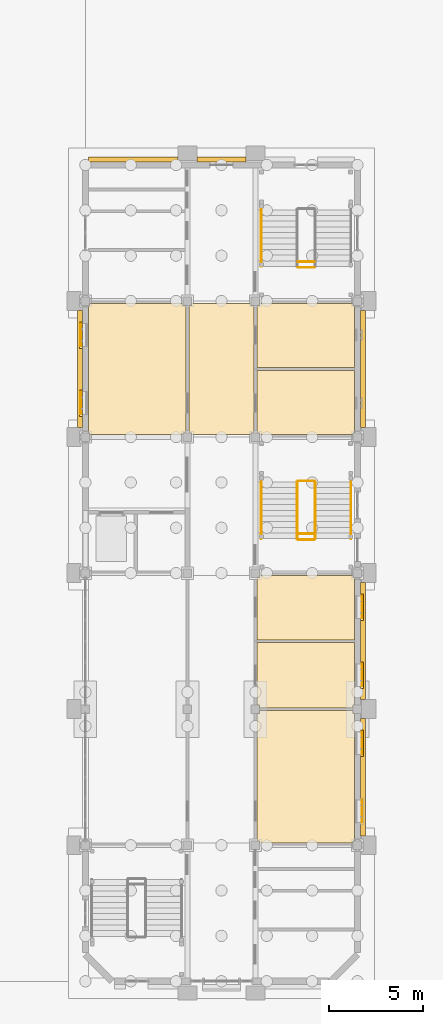
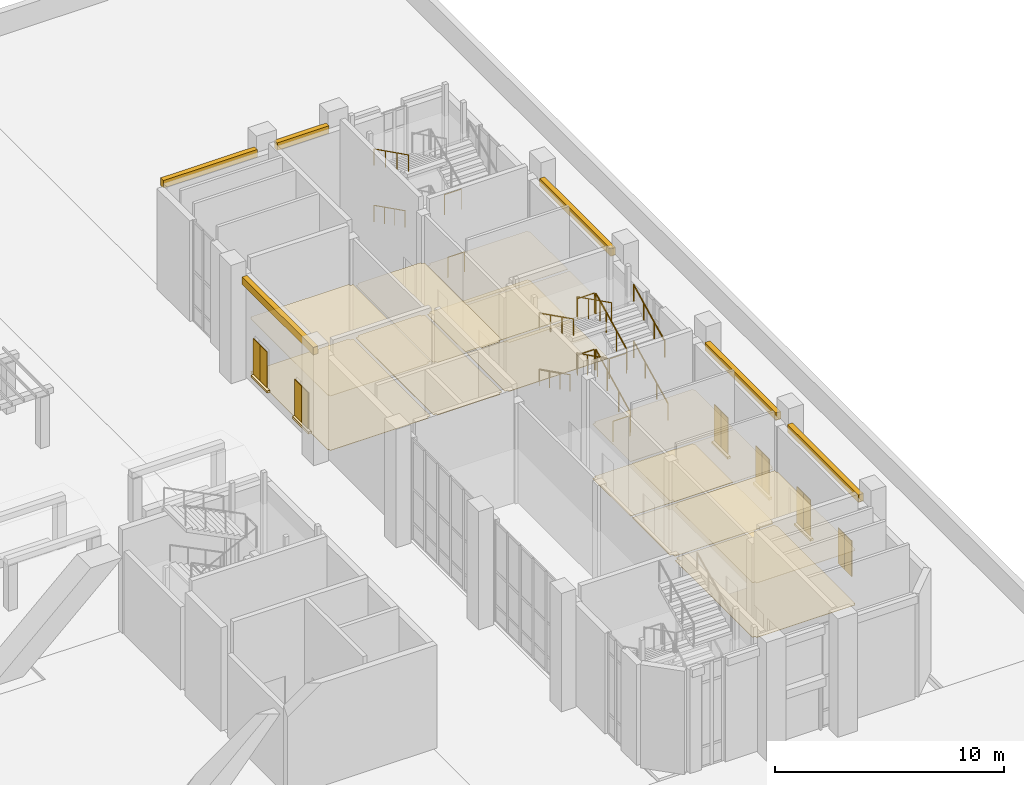
# One storey, part 79 of 84: 37 coverings, 16 railings.
"""IFC4 building model written with IfcOpenShell, lengths in metres."""

from ifc_helpers import new_model, si_unit, direction, frame, origin, origin_2d, place, context, subcontext, project, spatial, polyline, rectangle, circle, outline, extrude, material, layer, layer_set, type_object, element, save


model = new_model("IFC4")

# Units and contexts
model_context = context("Model", 3, precision=1e-05, world=origin(), true_north=direction((0.0, 1.0)))
body_context = subcontext(model_context, "Body", "Model", "MODEL_VIEW")
ifc_project = project(units=[si_unit("LENGTHUNIT", "METRE"), si_unit("AREAUNIT", "SQUARE_METRE"), si_unit("VOLUMEUNIT", "CUBIC_METRE"), si_unit("PLANEANGLEUNIT", "RADIAN"), si_unit("MASSUNIT", "GRAM", prefix="KILO")], contexts=[model_context])

# Site, building, storey
site_placement = place(None, origin())
site = spatial("IfcSite", under=ifc_project, at=site_placement, CompositionType="ELEMENT")
building_placement = place(site_placement, origin())
building = spatial("IfcBuilding", under=site, at=building_placement, Name="Mazhai Court Health Centre", CompositionType="ELEMENT")
storey_placement = place(building_placement, origin())
storey = spatial("IfcBuildingStorey", under=building, at=storey_placement, Name="L00", CompositionType="ELEMENT", Elevation=0.0)

# Coverings
ifc_material_1 = material(Name="Clay brick masonry", Category="masonry")
ifc_layer_1 = layer(ifc_material_1, 0.25)
ifc_layer_set_1 = layer_set([ifc_layer_1], Name="BRICK BAND 250")
covering_type_1 = type_object("IfcCoveringType", Name="BRICK BAND 250", PredefinedType="MOLDING", material=ifc_layer_set_1)
covering_1_placement = place(storey_placement, frame((0.0, 0.0, 5.10009765625)))
element("IfcCovering", 1, at=covering_1_placement, inside=storey, type_object=covering_type_1, Name="EB-V6-L00-A4p0-0", PredefinedType="MOLDING", context=body_context, shape_type="SweptSolid", body=[
    extrude(outline(polyline([(135.635009765625, 35.5), (135.635009765625, 41.699951171875), (135.385009765625, 41.699951171875), (135.385009765625, 35.5), (135.635009765625, 35.5)])), origin(), (0.0, 0.0, 1.0), 0.39990234375),
])
covering_2_placement = place(storey_placement, frame((0.0, 0.0, 5.10009765625)))
element("IfcCovering", 2, at=covering_2_placement, inside=storey, type_object=covering_type_1, Name="EB-V6-L00-B1p0-0", PredefinedType="MOLDING", context=body_context, shape_type="SweptSolid", body=[
    extrude(outline(polyline([(150.364990234375, 20.10009765625), (150.364990234375, 13.89990234375), (150.614990234375, 13.89990234375), (150.614990234375, 20.10009765625), (150.364990234375, 20.10009765625)])), origin(), (0.0, 0.0, 1.0), 0.39990234375),
])
covering_3_placement = place(storey_placement, frame((0.0, 0.0, 5.10009765625)))
element("IfcCovering", 3, at=covering_3_placement, inside=storey, type_object=covering_type_1, Name="EB-V6-L00-B2p0-0", PredefinedType="MOLDING", context=body_context, shape_type="SweptSolid", body=[
    extrude(outline(polyline([(150.364990234375, 27.300048828125), (150.364990234375, 21.10009765625), (150.614990234375, 21.10009765625), (150.614990234375, 27.300048828125), (150.364990234375, 27.300048828125)])), origin(), (0.0, 0.0, 1.0), 0.39990234375),
])
covering_4_placement = place(storey_placement, frame((0.0, 0.0, 5.10009765625)))
element("IfcCovering", 4, at=covering_4_placement, inside=storey, type_object=covering_type_1, Name="EB-V6-L00-B4p0-0", PredefinedType="MOLDING", context=body_context, shape_type="SweptSolid", body=[
    extrude(outline(polyline([(150.364990234375, 41.699951171875), (150.364990234375, 35.5), (150.614990234375, 35.5), (150.614990234375, 41.699951171875), (150.364990234375, 41.699951171875)])), origin(), (0.0, 0.0, 1.0), 0.39990234375),
])
covering_5_placement = place(storey_placement, frame((0.0, 0.0, 5.25)))
element("IfcCovering", 5, at=covering_5_placement, inside=storey, type_object=covering_type_1, Name="EB-V6-L00-Ep0-0", PredefinedType="MOLDING", context=body_context, shape_type="SweptSolid", body=[
    extrude(outline(polyline([(135.965087890625, 49.56494140625), (140.699951171875, 49.56494140625), (140.699951171875, 49.81494140625), (135.965087890625, 49.81494140625), (135.965087890625, 49.56494140625)])), origin(), (0.0, 0.0, 1.0), 0.39990234375),
])
covering_6_placement = place(storey_placement, frame((0.0, 0.0, 5.25)))
element("IfcCovering", 6, at=covering_6_placement, inside=storey, type_object=covering_type_1, Name="EB-V6-L00-Ep0-1", PredefinedType="MOLDING", context=body_context, shape_type="SweptSolid", body=[
    extrude(outline(polyline([(141.699951171875, 49.56494140625), (144.300048828125, 49.56494140625), (144.300048828125, 49.81494140625), (141.699951171875, 49.81494140625), (141.699951171875, 49.56494140625)])), origin(), (0.0, 0.0, 1.0), 0.39990234375),
])
ifc_material_2 = material(Name="Clay brick masonry", Category="masonry")
ifc_layer_2 = layer(ifc_material_2, 0.14990234375)
ifc_layer_set_2 = layer_set([ifc_layer_2], Name="BRICK SILL COURSE 150")
covering_type_2 = type_object("IfcCoveringType", Name="BRICK SILL COURSE 150", PredefinedType="MOLDING", material=ifc_layer_set_2)
covering_7_placement = place(storey_placement, frame((0.0, 0.0, 0.47998046875)))
element("IfcCovering", 7, at=covering_7_placement, inside=storey, type_object=covering_type_2, Name="ES-WN-V6-L00-A40", PredefinedType="MOLDING", context=body_context, shape_type="SweptSolid", body=[
    extrude(outline(polyline([(135.635009765625, 36.10009765625), (135.635009765625, 37.5), (135.485107421875, 37.5), (135.485107421875, 36.10009765625), (135.635009765625, 36.10009765625)])), origin(), (0.0, 0.0, 1.0), 0.1201171875),
])
covering_8_placement = place(storey_placement, frame((0.0, 0.0, 0.47998046875)))
element("IfcCovering", 8, at=covering_8_placement, inside=storey, type_object=covering_type_2, Name="ES-WN-V6-L00-A41", PredefinedType="MOLDING", context=body_context, shape_type="SweptSolid", body=[
    extrude(outline(polyline([(135.635009765625, 39.699951171875), (135.635009765625, 41.10009765625), (135.485107421875, 41.10009765625), (135.485107421875, 39.699951171875), (135.635009765625, 39.699951171875)])), origin(), (0.0, 0.0, 1.0), 0.1201171875),
])
covering_9_placement = place(storey_placement, frame((0.0, 0.0, 0.47998046875)))
element("IfcCovering", 9, at=covering_9_placement, inside=storey, type_object=covering_type_2, Name="ES-WN-V6-L00-B11", PredefinedType="MOLDING", context=body_context, shape_type="SweptSolid", body=[
    extrude(outline(polyline([(150.364990234375, 19.5), (150.364990234375, 18.10009765625), (150.514892578125, 18.10009765625), (150.514892578125, 19.5), (150.364990234375, 19.5)])), origin(), (0.0, 0.0, 1.0), 0.1201171875),
])
covering_10_placement = place(storey_placement, frame((0.0, 0.0, 0.47998046875)))
element("IfcCovering", 10, at=covering_10_placement, inside=storey, type_object=covering_type_2, Name="ES-WN-V6-L00-B20", PredefinedType="MOLDING", context=body_context, shape_type="SweptSolid", body=[
    extrude(outline(polyline([(150.364990234375, 23.10009765625), (150.364990234375, 21.699951171875), (150.514892578125, 21.699951171875), (150.514892578125, 23.10009765625), (150.364990234375, 23.10009765625)])), origin(), (0.0, 0.0, 1.0), 0.1201171875),
])
covering_11_placement = place(storey_placement, frame((0.0, 0.0, 0.47998046875)))
element("IfcCovering", 11, at=covering_11_placement, inside=storey, type_object=covering_type_2, Name="ES-WN-V6-L00-B21", PredefinedType="MOLDING", context=body_context, shape_type="SweptSolid", body=[
    extrude(outline(polyline([(150.364990234375, 26.699951171875), (150.364990234375, 25.300048828125), (150.514892578125, 25.300048828125), (150.514892578125, 26.699951171875), (150.364990234375, 26.699951171875)])), origin(), (0.0, 0.0, 1.0), 0.1201171875),
])
ifc_material_3 = material(Name="Gypsum plasterboard ceiling")
ifc_layer_3 = layer(ifc_material_3, 0.02001953125)
ifc_layer_set_3 = layer_set([ifc_layer_3], Name="CEILING GYPSUM BOARD 20")
covering_type_3 = type_object("IfcCoveringType", Name="CEILING GYPSUM BOARD 20", PredefinedType="CEILING", material=ifc_layer_set_3)
covering_12_placement = place(storey_placement, frame((0.0, 0.0, 2.89990234375)))
element("IfcCovering", 12, at=covering_12_placement, inside=storey, type_object=covering_type_3, Name="ceil-V6-L00-A1-yoga-and-exercise-room", PredefinedType="CEILING", context=body_context, shape_type="SweptSolid", body=[
    extrude(outline(polyline([(141.125, 41.97509765625), (140.97509765625, 41.97509765625), (140.97509765625, 42.074951171875), (136.02490234375, 42.074951171875), (136.02490234375, 41.97509765625), (135.965087890625, 41.97509765625), (135.965087890625, 35.22509765625), (136.02490234375, 35.22509765625), (136.02490234375, 35.125), (140.97509765625, 35.125), (140.97509765625, 35.22509765625), (141.125, 35.22509765625), (141.125, 41.97509765625)])), origin(), (0.0, 0.0, 1.0), 0.02001953125),
])
covering_13_placement = place(storey_placement, frame((0.0, 0.0, 2.89990234375)))
element("IfcCovering", 13, at=covering_13_placement, inside=storey, type_object=covering_type_3, Name="ceil-V6-L00-B0-cafe", PredefinedType="CEILING", context=body_context, shape_type="SweptSolid", body=[
    extrude(outline(polyline([(150.034912109375, 20.375), (149.97509765625, 20.375), (149.97509765625, 20.53759765625), (145.02490234375, 20.53759765625), (145.02490234375, 20.375), (144.875, 20.375), (144.875, 13.625), (145.02490234375, 13.625), (145.02490234375, 13.52490234375), (149.97509765625, 13.52490234375), (149.97509765625, 13.625), (150.034912109375, 13.625), (150.034912109375, 20.375)])), origin(), (0.0, 0.0, 1.0), 0.02001953125),
])
covering_14_placement = place(storey_placement, frame((0.0, 0.0, 2.89990234375)))
element("IfcCovering", 14, at=covering_14_placement, inside=storey, type_object=covering_type_3, Name="ceil-V6-L00-B0-health-shop", PredefinedType="CEILING", context=body_context, shape_type="SweptSolid", body=[
    extrude(outline(polyline([(150.034912109375, 27.574951171875), (149.97509765625, 27.574951171875), (149.97509765625, 27.675048828125), (145.02490234375, 27.675048828125), (145.02490234375, 27.574951171875), (144.875, 27.574951171875), (144.875, 24.262451171875), (150.034912109375, 24.262451171875), (150.034912109375, 27.574951171875)])), origin(), (0.0, 0.0, 1.0), 0.02001953125),
])
ifc_material_4 = material(Name="Mineral fibre ceiling tile")
ifc_layer_4 = layer(ifc_material_4, 0.014892578125)
ifc_layer_set_4 = layer_set([ifc_layer_4], Name="CEILING MINERAL FIBRE TILE 15")
covering_type_4 = type_object("IfcCoveringType", Name="CEILING MINERAL FIBRE TILE 15", PredefinedType="CEILING", material=ifc_layer_set_4)
covering_15_placement = place(storey_placement, frame((0.0, 0.0, 2.800048828125)))
element("IfcCovering", 15, at=covering_15_placement, inside=storey, type_object=covering_type_4, Name="ceil-V6-L00-corridor-1", PredefinedType="CEILING", context=body_context, shape_type="SweptSolid", body=[
    extrude(outline(polyline([(144.574951171875, 35.125), (144.574951171875, 35.22509765625), (144.72509765625, 35.22509765625), (144.72509765625, 41.97509765625), (144.574951171875, 41.97509765625), (144.574951171875, 42.074951171875), (141.425048828125, 42.074951171875), (141.425048828125, 41.97509765625), (141.27490234375, 41.97509765625), (141.27490234375, 35.22509765625), (141.425048828125, 35.22509765625), (141.425048828125, 35.125), (144.574951171875, 35.125)])), origin(), (0.0, 0.0, 1.0), 0.014892578125),
])
ifc_material_5 = material(Name="Moisture resistant gypsum ceiling")
ifc_layer_5 = layer(ifc_material_5, 0.014892578125)
ifc_layer_set_5 = layer_set([ifc_layer_5], Name="CEILING MOISTURE RESISTANT BOARD 15")
covering_type_5 = type_object("IfcCoveringType", Name="CEILING MOISTURE RESISTANT BOARD 15", PredefinedType="CEILING", material=ifc_layer_set_5)
covering_16_placement = place(storey_placement, frame((0.0, 0.0, 2.89990234375)))
element("IfcCovering", 16, at=covering_16_placement, inside=storey, type_object=covering_type_5, Name="ceil-V6-L00-B0-cafe-kitchen", PredefinedType="CEILING", context=body_context, shape_type="SweptSolid", body=[
    extrude(outline(polyline([(144.875, 20.824951171875), (145.02490234375, 20.824951171875), (145.02490234375, 20.66259765625), (149.97509765625, 20.66259765625), (149.97509765625, 20.824951171875), (150.034912109375, 20.824951171875), (150.034912109375, 24.137451171875), (144.875, 24.137451171875), (144.875, 20.824951171875)])), origin(), (0.0, 0.0, 1.0), 0.01513671875),
])
covering_17_placement = place(storey_placement, frame((0.0, 0.0, 2.60009765625)))
element("IfcCovering", 17, at=covering_17_placement, inside=storey, type_object=covering_type_5, Name="ceil-V6-L00-B1-public-wc-male", PredefinedType="CEILING", context=body_context, shape_type="SweptSolid", body=[
    extrude(outline(polyline([(144.875, 35.22509765625), (145.02490234375, 35.22509765625), (145.02490234375, 35.125), (149.97509765625, 35.125), (149.97509765625, 35.22509765625), (150.034912109375, 35.22509765625), (150.034912109375, 38.52490234375), (144.875, 38.52490234375), (144.875, 35.22509765625)])), origin(), (0.0, 0.0, 1.0), 0.014892578125),
])
covering_18_placement = place(storey_placement, frame((0.0, 0.0, 2.60009765625)))
element("IfcCovering", 18, at=covering_18_placement, inside=storey, type_object=covering_type_5, Name="ceil-V6-L00-B1-public-wc-female", PredefinedType="CEILING", context=body_context, shape_type="SweptSolid", body=[
    extrude(outline(polyline([(150.034912109375, 41.97509765625), (149.97509765625, 41.97509765625), (149.97509765625, 42.074951171875), (145.02490234375, 42.074951171875), (145.02490234375, 41.97509765625), (144.875, 41.97509765625), (144.875, 38.675048828125), (150.034912109375, 38.675048828125), (150.034912109375, 41.97509765625)])), origin(), (0.0, 0.0, 1.0), 0.014892578125),
])
ifc_material_6 = material(Name="Linoleum flooring")
ifc_layer_6 = layer(ifc_material_6, 0.02001953125)
ifc_layer_set_6 = layer_set([ifc_layer_6], Name="FLOOR FINISH LINOLEUM FLOORING 20")
covering_type_6 = type_object("IfcCoveringType", Name="FLOOR FINISH LINOLEUM FLOORING 20", PredefinedType="FLOORING", material=ifc_layer_set_6)
covering_19_placement = place(storey_placement, origin())
element("IfcCovering", 19, at=covering_19_placement, inside=storey, type_object=covering_type_6, Name="floor-V6-L00-A1-yoga-and-exercise-room", PredefinedType="FLOORING", context=body_context, shape_type="SweptSolid", body=[
    extrude(outline(polyline([(141.125, 41.97509765625), (140.97509765625, 41.97509765625), (140.97509765625, 42.074951171875), (136.02490234375, 42.074951171875), (136.02490234375, 41.97509765625), (135.965087890625, 41.97509765625), (135.965087890625, 35.22509765625), (136.02490234375, 35.22509765625), (136.02490234375, 35.125), (140.97509765625, 35.125), (140.97509765625, 35.22509765625), (141.125, 35.22509765625), (141.125, 41.97509765625)])), origin(), (0.0, 0.0, 1.0), 0.02001953125),
])
covering_20_placement = place(storey_placement, origin())
element("IfcCovering", 20, at=covering_20_placement, inside=storey, type_object=covering_type_6, Name="floor-V6-L00-B0-cafe", PredefinedType="FLOORING", context=body_context, shape_type="SweptSolid", body=[
    extrude(outline(polyline([(150.034912109375, 20.375), (149.97509765625, 20.375), (149.97509765625, 20.53759765625), (145.02490234375, 20.53759765625), (145.02490234375, 20.375), (144.875, 20.375), (144.875, 13.625), (145.02490234375, 13.625), (145.02490234375, 13.52490234375), (149.97509765625, 13.52490234375), (149.97509765625, 13.625), (150.034912109375, 13.625), (150.034912109375, 20.375)])), origin(), (0.0, 0.0, 1.0), 0.02001953125),
])
covering_21_placement = place(storey_placement, origin())
element("IfcCovering", 21, at=covering_21_placement, inside=storey, type_object=covering_type_6, Name="floor-V6-L00-B0-cafe-kitchen", PredefinedType="FLOORING", context=body_context, shape_type="SweptSolid", body=[
    extrude(outline(polyline([(144.875, 20.824951171875), (145.02490234375, 20.824951171875), (145.02490234375, 20.66259765625), (149.97509765625, 20.66259765625), (149.97509765625, 20.824951171875), (150.034912109375, 20.824951171875), (150.034912109375, 24.137451171875), (144.875, 24.137451171875), (144.875, 20.824951171875)])), origin(), (0.0, 0.0, 1.0), 0.02001953125),
])
covering_22_placement = place(storey_placement, origin())
element("IfcCovering", 22, at=covering_22_placement, inside=storey, type_object=covering_type_6, Name="floor-V6-L00-B0-health-shop", PredefinedType="FLOORING", context=body_context, shape_type="SweptSolid", body=[
    extrude(outline(polyline([(150.034912109375, 27.574951171875), (149.97509765625, 27.574951171875), (149.97509765625, 27.675048828125), (145.02490234375, 27.675048828125), (145.02490234375, 27.574951171875), (144.875, 27.574951171875), (144.875, 24.262451171875), (150.034912109375, 24.262451171875), (150.034912109375, 27.574951171875)])), origin(), (0.0, 0.0, 1.0), 0.02001953125),
])
ifc_material_7 = material(Name="Porcelain tile flooring")
ifc_layer_7 = layer(ifc_material_7, 0.02490234375)
ifc_layer_set_7 = layer_set([ifc_layer_7], Name="FLOOR FINISH PORCELAIN TILE FLOORING 25")
covering_type_7 = type_object("IfcCoveringType", Name="FLOOR FINISH PORCELAIN TILE FLOORING 25", PredefinedType="FLOORING", material=ifc_layer_set_7)
covering_23_placement = place(storey_placement, origin())
element("IfcCovering", 23, at=covering_23_placement, inside=storey, type_object=covering_type_7, Name="floor-V6-L00-B1-public-wc-male", PredefinedType="FLOORING", context=body_context, shape_type="SweptSolid", body=[
    extrude(outline(polyline([(144.875, 35.22509765625), (145.02490234375, 35.22509765625), (145.02490234375, 35.125), (149.97509765625, 35.125), (149.97509765625, 35.22509765625), (150.034912109375, 35.22509765625), (150.034912109375, 38.52490234375), (144.875, 38.52490234375), (144.875, 35.22509765625)])), origin(), (0.0, 0.0, 1.0), 0.02490234375),
])
covering_24_placement = place(storey_placement, origin())
element("IfcCovering", 24, at=covering_24_placement, inside=storey, type_object=covering_type_7, Name="floor-V6-L00-B1-public-wc-female", PredefinedType="FLOORING", context=body_context, shape_type="SweptSolid", body=[
    extrude(outline(polyline([(150.034912109375, 41.97509765625), (149.97509765625, 41.97509765625), (149.97509765625, 42.074951171875), (145.02490234375, 42.074951171875), (145.02490234375, 41.97509765625), (144.875, 41.97509765625), (144.875, 38.675048828125), (150.034912109375, 38.675048828125), (150.034912109375, 41.97509765625)])), origin(), (0.0, 0.0, 1.0), 0.02490234375),
])
ifc_material_8 = material(Name="Terrazzo flooring")
ifc_layer_8 = layer(ifc_material_8, 0.0400390625)
ifc_layer_set_8 = layer_set([ifc_layer_8], Name="FLOOR FINISH TERRAZZO FLOORING 40")
covering_type_8 = type_object("IfcCoveringType", Name="FLOOR FINISH TERRAZZO FLOORING 40", PredefinedType="FLOORING", material=ifc_layer_set_8)
covering_25_placement = place(storey_placement, origin())
element("IfcCovering", 25, at=covering_25_placement, inside=storey, type_object=covering_type_8, Name="floor-V6-L00-corridor-1", PredefinedType="FLOORING", context=body_context, shape_type="SweptSolid", body=[
    extrude(outline(polyline([(144.574951171875, 35.125), (144.574951171875, 35.22509765625), (144.72509765625, 35.22509765625), (144.72509765625, 41.97509765625), (144.574951171875, 41.97509765625), (144.574951171875, 42.074951171875), (141.425048828125, 42.074951171875), (141.425048828125, 41.97509765625), (141.27490234375, 41.97509765625), (141.27490234375, 35.22509765625), (141.425048828125, 35.22509765625), (141.425048828125, 35.125), (144.574951171875, 35.125)])), origin(), (0.0, 0.0, 1.0), 0.0400390625),
])
ifc_material_9 = material(Name="Aluminium louvre", Category="aluminium")
ifc_layer_9 = layer(ifc_material_9, 0.0400390625)
ifc_layer_set_9 = layer_set([ifc_layer_9], Name="SHUTTER LEAF 600x40")
covering_type_9 = type_object("IfcCoveringType", Name="SHUTTER LEAF 600x40", PredefinedType="CLADDING", material=ifc_layer_set_9)
for number, where, z_axis, x_axis, name in (
    (26, (135.554931640625, 36.5, 0.699951171875), (0.0, 0.0, 1.0), (0.0, 1.0, 0.0), "LV-V6-L00-A40a"),
    (27, (135.554931640625, 37.10009765625, 0.699951171875), (0.0, 0.0, 1.0), (0.0, 1.0, 0.0), "LV-V6-L00-A40b"),
    (28, (135.554931640625, 40.10009765625, 0.699951171875), (0.0, 0.0, 1.0), (0.0, 1.0, 0.0), "LV-V6-L00-A41a"),
    (29, (135.554931640625, 40.699951171875, 0.699951171875), (0.0, 0.0, 1.0), (0.0, 1.0, 0.0), "LV-V6-L00-A41b"),
    (30, (150.445068359375, 14.89990234375, 0.699951171875), (0.0, 0.0, 1.0), (0.0, 1.0, 0.0), "LV-V6-L00-B10a"),
    (31, (150.445068359375, 15.5, 0.699951171875), (0.0, 0.0, 1.0), (0.0, 1.0, 0.0), "LV-V6-L00-B10b"),
    (32, (150.445068359375, 18.5, 0.699951171875), (0.0, 0.0, 1.0), (0.0, 1.0, 0.0), "LV-V6-L00-B11a"),
    (33, (150.445068359375, 19.10009765625, 0.699951171875), (0.0, 0.0, 1.0), (0.0, 1.0, 0.0), "LV-V6-L00-B11b"),
    (34, (150.445068359375, 22.10009765625, 0.699951171875), (0.0, 0.0, 1.0), (0.0, 1.0, 0.0), "LV-V6-L00-B20a"),
    (35, (150.445068359375, 22.699951171875, 0.699951171875), (0.0, 0.0, 1.0), (0.0, 1.0, 0.0), "LV-V6-L00-B20b"),
    (36, (150.445068359375, 25.699951171875, 0.699951171875), (0.0, 0.0, 1.0), (0.0, 1.0, 0.0), "LV-V6-L00-B21a"),
    (37, (150.445068359375, 26.300048828125, 0.699951171875), (0.0, 0.0, 1.0), (0.0, 1.0, 0.0), "LV-V6-L00-B21b"),
):
    element("IfcCovering", number, at=place(storey_placement, frame(where, z_axis=z_axis, x_axis=x_axis)), inside=storey, type_object=covering_type_9, Name=name, PredefinedType="CLADDING", context=body_context, shape_type="SweptSolid", body=[
        extrude(rectangle(XDim=0.60009765625, YDim=0.0400390625, at=origin_2d()), origin(), (0.0, 0.0, 1.0), 1.89990234375),
    ])

# Railings
ifc_material_10 = material(Name="Steel IS 2062 E250", Category="steel")
railing_type_1 = type_object("IfcRailingType", Name="STAIR GUARD 1100", PredefinedType="GUARDRAIL", material=ifc_material_10)
railing_1_placement = place(storey_placement, frame((147.955078125, 29.625, 0.14990234375)))
element("IfcRailing", 38, at=railing_1_placement, inside=storey, type_object=railing_type_1, Name="L00 ST9 stair guard 1", PredefinedType="GUARDRAIL", context=body_context, shape_type="SweptSolid", body=[
    extrude(circle(Radius=0.02392578125, at=origin_2d()), frame((0.0, 0.0, 1.076171875), z_axis=(0.0, 0.894427191, 0.4472135955), x_axis=(-1.0, 0.0, 0.0)), (0.0, 0.0, 1.0), 3.35400390625),
    extrude(circle(Radius=0.02099609375, at=origin_2d()), origin(), (0.0, 0.0, 1.0), 1.052001953125),
    extrude(circle(Radius=0.02099609375, at=origin_2d()), frame((0.0, 1.0, 0.5)), (0.0, 0.0, 1.0), 1.052001953125),
    extrude(circle(Radius=0.02099609375, at=origin_2d()), frame((0.0, 2.0, 1.0)), (0.0, 0.0, 1.0), 1.052001953125),
    extrude(circle(Radius=0.02099609375, at=origin_2d()), frame((0.0, 3.0, 1.5)), (0.0, 0.0, 1.0), 1.052001953125),
])
railing_2_placement = place(storey_placement, frame((147.905029296875, 32.675048828125, 1.64990234375)))
element("IfcRailing", 39, at=railing_2_placement, inside=storey, type_object=railing_type_1, Name="L00 ST9 stair guard 2", PredefinedType="GUARDRAIL", context=body_context, shape_type="SweptSolid", body=[
    extrude(circle(Radius=0.02392578125, at=origin_2d()), frame((0.0, 0.0, 1.076171875), z_axis=(-1.0, 0.0, 0.0), x_axis=(0.0, -1.0, 0.0)), (0.0, 0.0, 1.0), 0.85009765625),
    extrude(circle(Radius=0.02099609375, at=origin_2d()), origin(), (0.0, 0.0, 1.0), 1.052001953125),
    extrude(circle(Radius=0.02099609375, at=origin_2d()), frame((-0.85009765625, 0.0, 0.0)), (0.0, 0.0, 1.0), 1.052001953125),
])
railing_3_placement = place(storey_placement, frame((147.0048828125, 32.625, 1.800048828125)))
element("IfcRailing", 40, at=railing_3_placement, inside=storey, type_object=railing_type_1, Name="L00 ST9 stair guard 3", PredefinedType="GUARDRAIL", context=body_context, shape_type="SweptSolid", body=[
    extrude(circle(Radius=0.02392578125, at=origin_2d()), frame((0.0, 0.0, 1.076171875), z_axis=(0.0, -0.89444336626, 0.447181243517), x_axis=(1.0, 0.0, 0.0)), (0.0, 0.0, 1.0), 3.0185546875),
    extrude(circle(Radius=0.02099609375, at=origin_2d()), origin(), (0.0, 0.0, 1.0), 1.052001953125),
    extrude(circle(Radius=0.02099609375, at=origin_2d()), frame((0.0, -0.89990234375, 0.449951171875)), (0.0, 0.0, 1.0), 1.052001953125),
    extrude(circle(Radius=0.02099609375, at=origin_2d()), frame((0.0, -1.800048828125, 0.89990234375)), (0.0, 0.0, 1.0), 1.052001953125),
    extrude(circle(Radius=0.02099609375, at=origin_2d()), frame((0.0, -2.699951171875, 1.349853515625)), (0.0, 0.0, 1.0), 1.052001953125),
])
railing_4_placement = place(storey_placement, frame((147.905029296875, 29.875, 3.14990234375)))
element("IfcRailing", 41, at=railing_4_placement, inside=storey, type_object=railing_type_1, Name="L00 ST9 stair guard 4", PredefinedType="GUARDRAIL", context=body_context, shape_type="SweptSolid", body=[
    extrude(circle(Radius=0.02392578125, at=origin_2d()), frame((0.0, 0.0, 1.076171875), z_axis=(-1.0, 0.0, 0.0), x_axis=(0.0, -1.0, 0.0)), (0.0, 0.0, 1.0), 0.85009765625),
    extrude(circle(Radius=0.02099609375, at=origin_2d()), origin(), (0.0, 0.0, 1.0), 1.052001953125),
    extrude(circle(Radius=0.02099609375, at=origin_2d()), frame((-0.85009765625, 0.0, 0.0)), (0.0, 0.0, 1.0), 1.052001953125),
])
railing_5_placement = place(storey_placement, frame((147.955078125, 29.925048828125, 3.300048828125)))
element("IfcRailing", 42, at=railing_5_placement, inside=storey, type_object=railing_type_1, Name="L00 ST9 stair guard 5", PredefinedType="GUARDRAIL", context=body_context, shape_type="SweptSolid", body=[
    extrude(circle(Radius=0.02392578125, at=origin_2d()), frame((0.0, 0.0, 1.076171875), z_axis=(0.0, 0.89444336626, 0.447181243517), x_axis=(-1.0, 0.0, 0.0)), (0.0, 0.0, 1.0), 3.0185546875),
    extrude(circle(Radius=0.02099609375, at=origin_2d()), origin(), (0.0, 0.0, 1.0), 1.052001953125),
    extrude(circle(Radius=0.02099609375, at=origin_2d()), frame((0.0, 0.89990234375, 0.449951171875)), (0.0, 0.0, 1.0), 1.052001953125),
    extrude(circle(Radius=0.02099609375, at=origin_2d()), frame((0.0, 1.800048828125, 0.89990234375)), (0.0, 0.0, 1.0), 1.052001953125),
    extrude(circle(Radius=0.02099609375, at=origin_2d()), frame((0.0, 2.699951171875, 1.349853515625)), (0.0, 0.0, 1.0), 1.052001953125),
])
railing_6_placement = place(storey_placement, frame((147.905029296875, 32.675048828125, 4.64990234375)))
element("IfcRailing", 43, at=railing_6_placement, inside=storey, type_object=railing_type_1, Name="L00 ST9 stair guard 6", PredefinedType="GUARDRAIL", context=body_context, shape_type="SweptSolid", body=[
    extrude(circle(Radius=0.02392578125, at=origin_2d()), frame((0.0, 0.0, 1.076171875), z_axis=(-1.0, 0.0, 0.0), x_axis=(0.0, -1.0, 0.0)), (0.0, 0.0, 1.0), 0.85009765625),
    extrude(circle(Radius=0.02099609375, at=origin_2d()), origin(), (0.0, 0.0, 1.0), 1.052001953125),
    extrude(circle(Radius=0.02099609375, at=origin_2d()), frame((-0.85009765625, 0.0, 0.0)), (0.0, 0.0, 1.0), 1.052001953125),
])
railing_7_placement = place(storey_placement, frame((147.0048828125, 32.625, 4.800048828125)))
element("IfcRailing", 44, at=railing_7_placement, inside=storey, type_object=railing_type_1, Name="L00 ST9 stair guard 7", PredefinedType="GUARDRAIL", context=body_context, shape_type="SweptSolid", body=[
    extrude(circle(Radius=0.02392578125, at=origin_2d()), frame((0.0, 0.0, 1.076171875), z_axis=(0.0, -0.894427191, 0.4472135955), x_axis=(1.0, 0.0, 0.0)), (0.0, 0.0, 1.0), 3.35400390625),
    extrude(circle(Radius=0.02099609375, at=origin_2d()), origin(), (0.0, 0.0, 1.0), 1.052001953125),
    extrude(circle(Radius=0.02099609375, at=origin_2d()), frame((0.0, -1.0, 0.5)), (0.0, 0.0, 1.0), 1.052001953125),
    extrude(circle(Radius=0.02099609375, at=origin_2d()), frame((0.0, -2.0, 1.0)), (0.0, 0.0, 1.0), 1.052001953125),
    extrude(circle(Radius=0.02099609375, at=origin_2d()), frame((0.0, -3.0, 1.5)), (0.0, 0.0, 1.0), 1.052001953125),
])
for number, where, name in (
    (45, (147.905029296875, 29.574951171875, 0.0), "L00 ST9 stair guard 8"),
    (46, (147.905029296875, 44.27490234375, 3.14990234375), "L00 ST10 stair guard 4"),
    (47, (147.905029296875, 43.97509765625, 0.0), "L00 ST10 stair guard 8"),
):
    element("IfcRailing", number, at=place(storey_placement, frame(where)), inside=storey, type_object=railing_type_1, Name=name, PredefinedType="GUARDRAIL", context=body_context, shape_type="SweptSolid", body=[
        extrude(circle(Radius=0.02392578125, at=origin_2d()), frame((0.0, 0.0, 1.076171875), z_axis=(-1.0, 0.0, 0.0), x_axis=(0.0, -1.0, 0.0)), (0.0, 0.0, 1.0), 0.85009765625),
        extrude(circle(Radius=0.02099609375, at=origin_2d()), origin(), (0.0, 0.0, 1.0), 1.052001953125),
        extrude(circle(Radius=0.02099609375, at=origin_2d()), frame((-0.85009765625, 0.0, 0.0)), (0.0, 0.0, 1.0), 1.052001953125),
    ])
ifc_material_11 = material(Name="Steel IS 2062 E250", Category="steel")
railing_type_2 = type_object("IfcRailingType", Name="STAIR HANDRAIL 900", PredefinedType="HANDRAIL", material=ifc_material_11)
railing_8_placement = place(storey_placement, frame((149.85498046875, 29.625, 0.14990234375)))
element("IfcRailing", 48, at=railing_8_placement, inside=storey, type_object=railing_type_2, Name="L00 ST9 stair handrail 1", PredefinedType="HANDRAIL", context=body_context, shape_type="SweptSolid", body=[
    extrude(circle(Radius=0.02392578125, at=origin_2d()), frame((0.0, 0.0, 0.8759765625), z_axis=(0.0, 0.894427191, 0.4472135955), x_axis=(-1.0, 0.0, 0.0)), (0.0, 0.0, 1.0), 3.35400390625),
    extrude(circle(Radius=0.02099609375, at=origin_2d()), origin(), (0.0, 0.0, 1.0), 0.851806640625),
    extrude(circle(Radius=0.02099609375, at=origin_2d()), frame((0.0, 1.0, 0.5)), (0.0, 0.0, 1.0), 0.851806640625),
    extrude(circle(Radius=0.02099609375, at=origin_2d()), frame((0.0, 2.0, 1.0)), (0.0, 0.0, 1.0), 0.851806640625),
    extrude(circle(Radius=0.02099609375, at=origin_2d()), frame((0.0, 3.0, 1.5)), (0.0, 0.0, 1.0), 0.851806640625),
])
railing_9_placement = place(storey_placement, frame((145.10498046875, 32.625, 1.800048828125)))
element("IfcRailing", 49, at=railing_9_placement, inside=storey, type_object=railing_type_2, Name="L00 ST9 stair handrail 2", PredefinedType="HANDRAIL", context=body_context, shape_type="SweptSolid", body=[
    extrude(circle(Radius=0.02392578125, at=origin_2d()), frame((0.0, 0.0, 0.8759765625), z_axis=(0.0, -0.89444336626, 0.447181243517), x_axis=(1.0, 0.0, 0.0)), (0.0, 0.0, 1.0), 3.0185546875),
    extrude(circle(Radius=0.02099609375, at=origin_2d()), origin(), (0.0, 0.0, 1.0), 0.851806640625),
    extrude(circle(Radius=0.02099609375, at=origin_2d()), frame((0.0, -0.89990234375, 0.449951171875)), (0.0, 0.0, 1.0), 0.851806640625),
    extrude(circle(Radius=0.02099609375, at=origin_2d()), frame((0.0, -1.800048828125, 0.89990234375)), (0.0, 0.0, 1.0), 0.851806640625),
    extrude(circle(Radius=0.02099609375, at=origin_2d()), frame((0.0, -2.699951171875, 1.349853515625)), (0.0, 0.0, 1.0), 0.851806640625),
])
railing_10_placement = place(storey_placement, frame((149.85498046875, 29.925048828125, 3.300048828125)))
element("IfcRailing", 50, at=railing_10_placement, inside=storey, type_object=railing_type_2, Name="L00 ST9 stair handrail 3", PredefinedType="HANDRAIL", context=body_context, shape_type="SweptSolid", body=[
    extrude(circle(Radius=0.02392578125, at=origin_2d()), frame((0.0, 0.0, 0.8759765625), z_axis=(0.0, 0.89444336626, 0.447181243517), x_axis=(-1.0, 0.0, 0.0)), (0.0, 0.0, 1.0), 3.0185546875),
    extrude(circle(Radius=0.02099609375, at=origin_2d()), origin(), (0.0, 0.0, 1.0), 0.851806640625),
    extrude(circle(Radius=0.02099609375, at=origin_2d()), frame((0.0, 0.89990234375, 0.449951171875)), (0.0, 0.0, 1.0), 0.851806640625),
    extrude(circle(Radius=0.02099609375, at=origin_2d()), frame((0.0, 1.800048828125, 0.89990234375)), (0.0, 0.0, 1.0), 0.851806640625),
    extrude(circle(Radius=0.02099609375, at=origin_2d()), frame((0.0, 2.699951171875, 1.349853515625)), (0.0, 0.0, 1.0), 0.851806640625),
])
railing_11_placement = place(storey_placement, frame((145.10498046875, 32.625, 4.800048828125)))
element("IfcRailing", 51, at=railing_11_placement, inside=storey, type_object=railing_type_2, Name="L00 ST9 stair handrail 4", PredefinedType="HANDRAIL", context=body_context, shape_type="SweptSolid", body=[
    extrude(circle(Radius=0.02392578125, at=origin_2d()), frame((0.0, 0.0, 0.8759765625), z_axis=(0.0, -0.894427191, 0.4472135955), x_axis=(1.0, 0.0, 0.0)), (0.0, 0.0, 1.0), 3.35400390625),
    extrude(circle(Radius=0.02099609375, at=origin_2d()), origin(), (0.0, 0.0, 1.0), 0.851806640625),
    extrude(circle(Radius=0.02099609375, at=origin_2d()), frame((0.0, -1.0, 0.5)), (0.0, 0.0, 1.0), 0.851806640625),
    extrude(circle(Radius=0.02099609375, at=origin_2d()), frame((0.0, -2.0, 1.0)), (0.0, 0.0, 1.0), 0.851806640625),
    extrude(circle(Radius=0.02099609375, at=origin_2d()), frame((0.0, -3.0, 1.5)), (0.0, 0.0, 1.0), 0.851806640625),
])
railing_12_placement = place(storey_placement, frame((145.10498046875, 47.02490234375, 1.800048828125)))
element("IfcRailing", 52, at=railing_12_placement, inside=storey, type_object=railing_type_2, Name="L00 ST10 stair handrail 2", PredefinedType="HANDRAIL", context=body_context, shape_type="SweptSolid", body=[
    extrude(circle(Radius=0.02392578125, at=origin_2d()), frame((0.0, 0.0, 0.8759765625), z_axis=(0.0, -0.89444336626, 0.447181243517), x_axis=(1.0, 0.0, 0.0)), (0.0, 0.0, 1.0), 3.0185546875),
    extrude(circle(Radius=0.02099609375, at=origin_2d()), origin(), (0.0, 0.0, 1.0), 0.851806640625),
    extrude(circle(Radius=0.02099609375, at=origin_2d()), frame((0.0, -0.89990234375, 0.449951171875)), (0.0, 0.0, 1.0), 0.851806640625),
    extrude(circle(Radius=0.02099609375, at=origin_2d()), frame((0.0, -1.800048828125, 0.89990234375)), (0.0, 0.0, 1.0), 0.851806640625),
    extrude(circle(Radius=0.02099609375, at=origin_2d()), frame((0.0, -2.699951171875, 1.349853515625)), (0.0, 0.0, 1.0), 0.851806640625),
])
railing_13_placement = place(storey_placement, frame((145.10498046875, 47.02490234375, 4.800048828125)))
element("IfcRailing", 53, at=railing_13_placement, inside=storey, type_object=railing_type_2, Name="L00 ST10 stair handrail 4", PredefinedType="HANDRAIL", context=body_context, shape_type="SweptSolid", body=[
    extrude(circle(Radius=0.02392578125, at=origin_2d()), frame((0.0, 0.0, 0.8759765625), z_axis=(0.0, -0.894427191, 0.4472135955), x_axis=(1.0, 0.0, 0.0)), (0.0, 0.0, 1.0), 3.35400390625),
    extrude(circle(Radius=0.02099609375, at=origin_2d()), origin(), (0.0, 0.0, 1.0), 0.851806640625),
    extrude(circle(Radius=0.02099609375, at=origin_2d()), frame((0.0, -1.0, 0.5)), (0.0, 0.0, 1.0), 0.851806640625),
    extrude(circle(Radius=0.02099609375, at=origin_2d()), frame((0.0, -2.0, 1.0)), (0.0, 0.0, 1.0), 0.851806640625),
    extrude(circle(Radius=0.02099609375, at=origin_2d()), frame((0.0, -3.0, 1.5)), (0.0, 0.0, 1.0), 0.851806640625),
])

save(model, "model.ifc")
